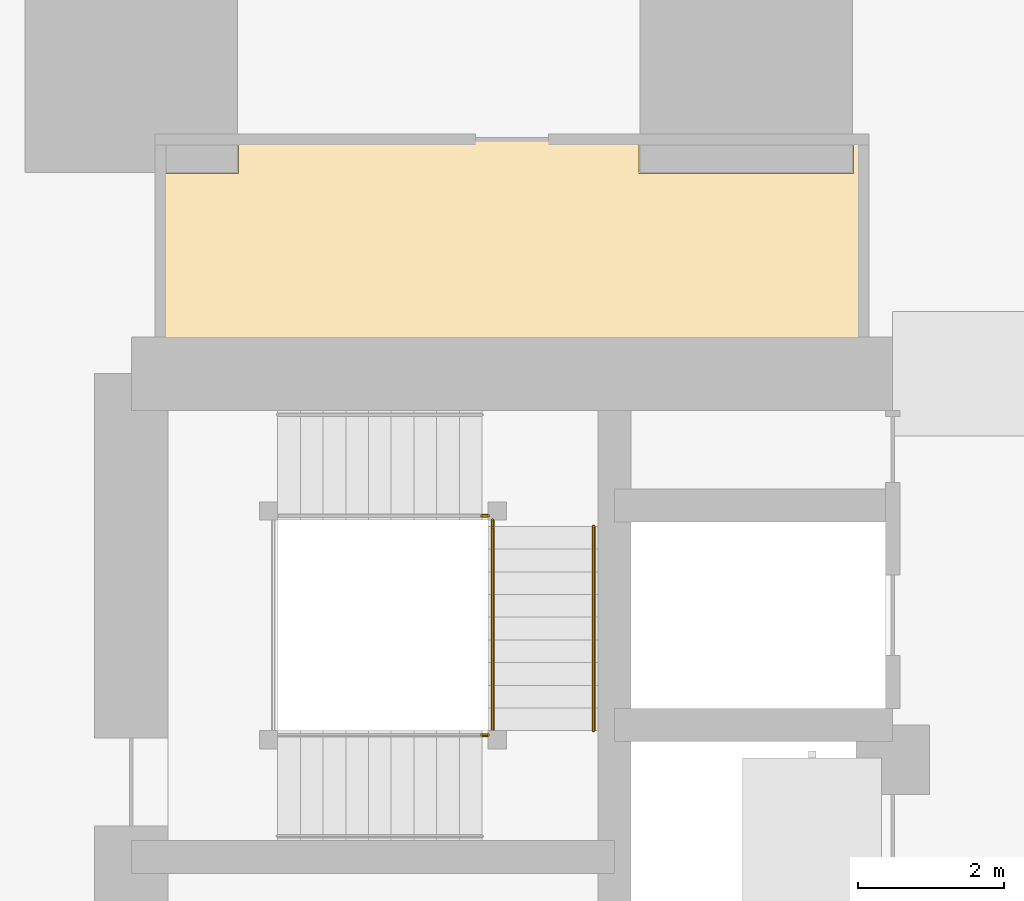
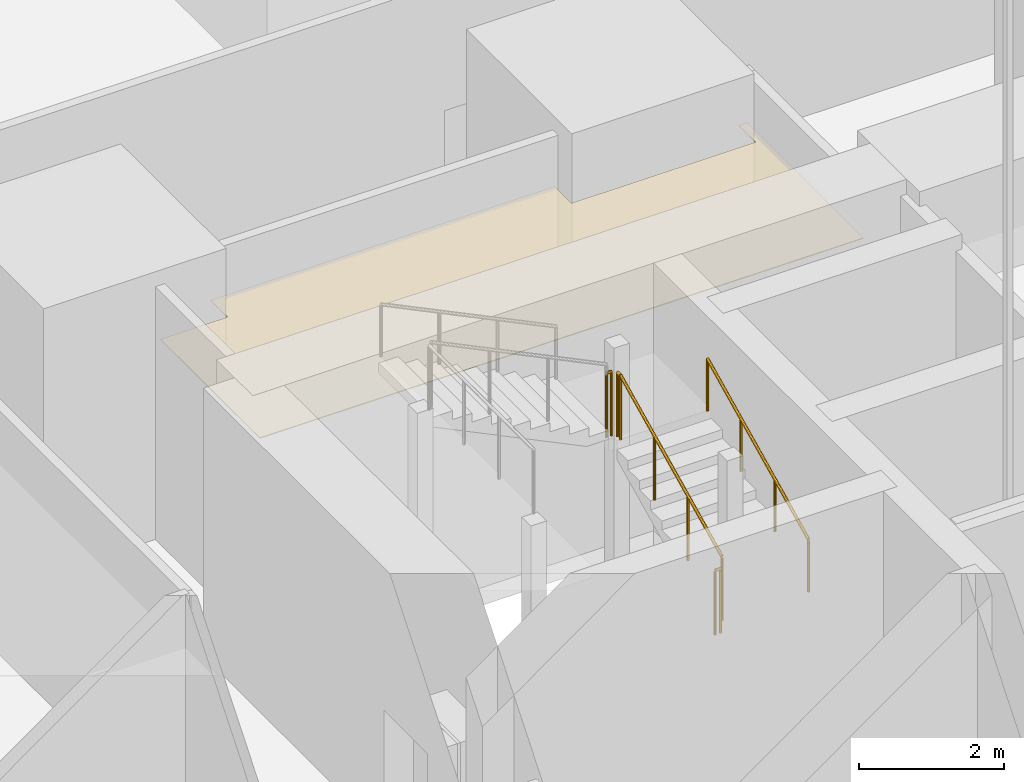
# One storey, part 28 of 44: 5 railings, 1 covering.
"""IFC4 building model written with IfcOpenShell, lengths in metres."""

from ifc_helpers import new_model, si_unit, direction, frame, origin, origin_2d, place, context, subcontext, project, spatial, polyline, circle, outline, extrude, material, layer, layer_set, type_object, element, save


model = new_model("IFC4")

# Units and contexts
model_context = context("Model", 3, precision=1e-05, world=origin(), true_north=direction((0.0, 1.0)))
body_context = subcontext(model_context, "Body", "Model", "MODEL_VIEW")
ifc_project = project(units=[si_unit("LENGTHUNIT", "METRE"), si_unit("AREAUNIT", "SQUARE_METRE"), si_unit("VOLUMEUNIT", "CUBIC_METRE"), si_unit("PLANEANGLEUNIT", "RADIAN"), si_unit("MASSUNIT", "GRAM", prefix="KILO")], contexts=[model_context])

# Site, building, storey
site_placement = place(None, origin())
site = spatial("IfcSite", under=ifc_project, at=site_placement, CompositionType="ELEMENT")
building_placement = place(site_placement, origin())
building = spatial("IfcBuilding", under=site, at=building_placement, Name="Rekha Terrace Tower", CompositionType="ELEMENT")
storey_placement = place(building_placement, frame((0.0, 0.0, 90.800048828125)))
storey = spatial("IfcBuildingStorey", under=building, at=storey_placement, Name="L22", CompositionType="ELEMENT", Elevation=90.800048828125)

# Covering
ifc_material_1 = material(Name="Fibre cement board", Category="finish")
ifc_layer = layer(ifc_material_1, 0.014892578125)
ifc_layer_set = layer_set([ifc_layer], Name="Fibre cement board")
covering_type = type_object("IfcCoveringType", Name="CL2 moisture-resistant board ceiling", PredefinedType="CEILING", material=ifc_layer_set)
covering_placement = place(storey_placement, frame((0.0, 0.0, 3.3349609375)))
element("IfcCovering", 1, at=covering_placement, inside=storey, type_object=covering_type, Name="Ceiling L22-WCF2", PredefinedType="CEILING", context=body_context, shape_type="SweptSolid", body=[
    extrude(outline(polyline([(26.6650390625, 48.93505859375), (25.60009765625, 48.93505859375), (25.60009765625, 46.199951171875), (35.199951171875, 46.199951171875), (35.199951171875, 49.39990234375), (35.06494140625, 49.39990234375), (35.06494140625, 48.93505859375), (32.135009765625, 48.93505859375), (32.135009765625, 49.39990234375), (26.6650390625, 49.39990234375), (26.6650390625, 48.93505859375)])), origin(), (0.0, 0.0, 1.0), 0.014892578125),
])

# Railings
ifc_material_2 = material(Name="Stainless steel balustrade", Category="steel")
railing_type_1 = type_object("IfcRailingType", Name="GR1 1100 stair guard", PredefinedType="GUARDRAIL", material=ifc_material_2)
railing_1_placement = place(storey_placement, frame((30.135009765625, 41.324951171875, 1.64990234375)))
element("IfcRailing", 2, at=railing_1_placement, inside=storey, type_object=railing_type_1, Name="Guard ST4 L22 flight 2", PredefinedType="GUARDRAIL", context=body_context, shape_type="SweptSolid", body=[
    extrude(circle(Radius=0.02392578125, at=origin_2d()), frame((0.0, 0.0, 1.076171875), z_axis=(0.0, 0.90014928908, 0.43558151633), x_axis=(-1.0, 0.0, 0.0)), (0.0, 0.0, 1.0), 3.099609375),
    extrude(circle(Radius=0.02099609375, at=origin_2d()), origin(), (0.0, 0.0, 1.0), 1.052001953125),
    extrude(circle(Radius=0.02099609375, at=origin_2d()), frame((0.0, 0.929931640625, 0.449951171875)), (0.0, 0.0, 1.0), 1.052001953125),
    extrude(circle(Radius=0.02099609375, at=origin_2d()), frame((0.0, 1.860107421875, 0.900146484375)), (0.0, 0.0, 1.0), 1.052001953125),
    extrude(circle(Radius=0.02099609375, at=origin_2d()), frame((0.0, 2.7900390625, 1.35009765625)), (0.0, 0.0, 1.0), 1.052001953125),
])
railing_2_placement = place(storey_placement, frame((29.989990234375, 41.264892578125, 1.5)))
element("IfcRailing", 3, at=railing_2_placement, inside=storey, type_object=railing_type_1, Name="Guard ST4 L22 landing 1", PredefinedType="GUARDRAIL", context=body_context, shape_type="SweptSolid", body=[
    extrude(circle(Radius=0.02392578125, at=origin_2d()), frame((0.0, 0.0, 1.076171875), z_axis=(1.0, 0.0, 0.0), x_axis=(0.0, 1.0, 0.0)), (0.0, 0.0, 1.0), 0.0849609375),
    extrude(circle(Radius=0.02099609375, at=origin_2d()), origin(), (0.0, 0.0, 1.0), 1.052001953125),
    extrude(circle(Radius=0.02099609375, at=origin_2d()), frame((0.0849609375, 0.0, 0.0)), (0.0, 0.0, 1.0), 1.052001953125),
])
railing_3_placement = place(storey_placement, frame((30.135009765625, 44.114990234375, 3.0)))
element("IfcRailing", 4, at=railing_3_placement, inside=storey, type_object=railing_type_1, Name="Guard ST4 L22 landing 2", PredefinedType="GUARDRAIL", context=body_context, shape_type="SweptSolid", body=[
    extrude(circle(Radius=0.02392578125, at=origin_2d()), frame((0.0, 0.0, 1.076171875), z_axis=(0.0, 1.0, 0.0), x_axis=(-1.0, 0.0, 0.0)), (0.0, 0.0, 1.0), 0.0849609375),
    extrude(circle(Radius=0.02099609375, at=origin_2d()), origin(), (0.0, 0.0, 1.0), 1.052001953125),
    extrude(circle(Radius=0.02099609375, at=origin_2d()), frame((0.0, 0.0849609375, 0.0)), (0.0, 0.0, 1.0), 1.052001953125),
])
railing_4_placement = place(storey_placement, frame((29.989990234375, 44.260009765625, 3.0)))
element("IfcRailing", 5, at=railing_4_placement, inside=storey, type_object=railing_type_1, Name="Guard ST4 L22 landing 3", PredefinedType="GUARDRAIL", context=body_context, shape_type="SweptSolid", body=[
    extrude(circle(Radius=0.02392578125, at=origin_2d()), frame((0.0, 0.0, 1.076171875), z_axis=(1.0, 0.0, 0.0), x_axis=(0.0, 1.0, 0.0)), (0.0, 0.0, 1.0), 0.0849609375),
    extrude(circle(Radius=0.02099609375, at=origin_2d()), origin(), (0.0, 0.0, 1.0), 1.052001953125),
    extrude(circle(Radius=0.02099609375, at=origin_2d()), frame((0.0849609375, 0.0, 0.0)), (0.0, 0.0, 1.0), 1.052001953125),
])
ifc_material_3 = material(Name="Stainless steel tube", Category="steel")
railing_type_2 = type_object("IfcRailingType", Name="HR1 900 stair handrail", PredefinedType="HANDRAIL", material=ifc_material_3)
railing_5_placement = place(storey_placement, frame((31.514892578125, 41.324951171875, 1.64990234375)))
element("IfcRailing", 6, at=railing_5_placement, inside=storey, type_object=railing_type_2, Name="Handrail ST4 L22 flight 2", PredefinedType="HANDRAIL", context=body_context, shape_type="SweptSolid", body=[
    extrude(circle(Radius=0.02392578125, at=origin_2d()), frame((0.0, 0.0, 0.8759765625), z_axis=(0.0, 0.90014928908, 0.43558151633), x_axis=(-1.0, 0.0, 0.0)), (0.0, 0.0, 1.0), 3.099609375),
    extrude(circle(Radius=0.02099609375, at=origin_2d()), origin(), (0.0, 0.0, 1.0), 0.851806640625),
    extrude(circle(Radius=0.02099609375, at=origin_2d()), frame((0.0, 0.929931640625, 0.449951171875)), (0.0, 0.0, 1.0), 0.851806640625),
    extrude(circle(Radius=0.02099609375, at=origin_2d()), frame((0.0, 1.860107421875, 0.900146484375)), (0.0, 0.0, 1.0), 0.851806640625),
    extrude(circle(Radius=0.02099609375, at=origin_2d()), frame((0.0, 2.7900390625, 1.35009765625)), (0.0, 0.0, 1.0), 0.851806640625),
])

save(model, "model.ifc")
